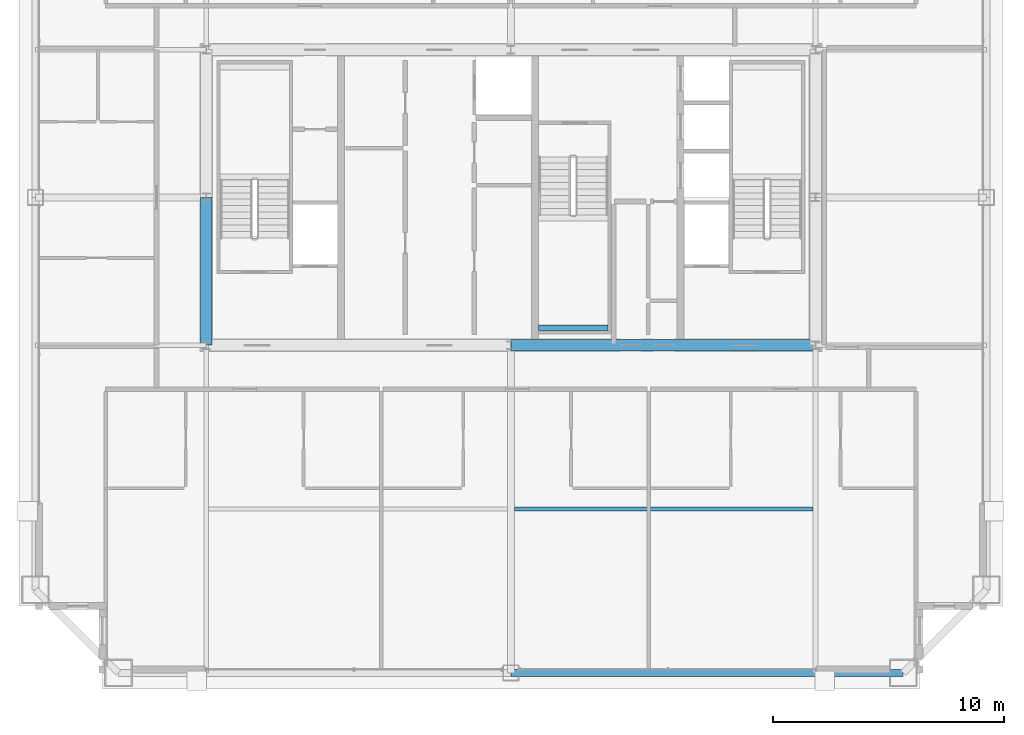
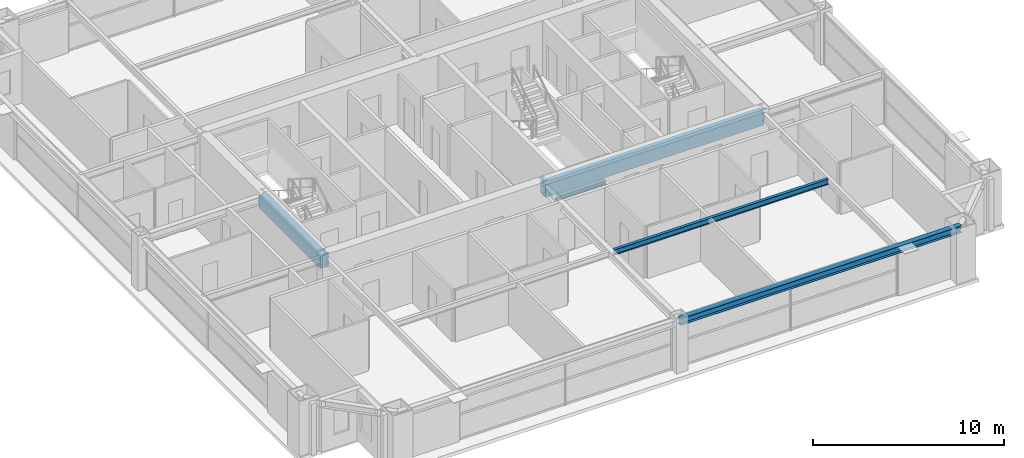
# One storey, part 13 of 37: 5 beams.
"""IFC4 building model written with IfcOpenShell, lengths in metres."""

from ifc_helpers import new_model, si_unit, direction, frame, origin, origin_2d, place, context, subcontext, project, spatial, rectangle, i_section, extrude, source, transform, mapped, material, material_profile, profile_set, type_object, element, save


model = new_model("IFC4")

# Units and contexts
model_context = context("Model", 3, precision=1e-05, world=origin(), true_north=direction((0.0, 1.0)))
body_context = subcontext(model_context, "Body", "Model", "MODEL_VIEW")
ifc_project = project(units=[si_unit("LENGTHUNIT", "METRE"), si_unit("AREAUNIT", "SQUARE_METRE"), si_unit("VOLUMEUNIT", "CUBIC_METRE"), si_unit("PLANEANGLEUNIT", "RADIAN"), si_unit("MASSUNIT", "GRAM", prefix="KILO"), si_unit("THERMODYNAMICTEMPERATUREUNIT", "KELVIN"), si_unit("POWERUNIT", "WATT")], contexts=[model_context])

# Site, building, storey
site_placement = place(None, origin())
site = spatial("IfcSite", under=ifc_project, at=site_placement, CompositionType="ELEMENT")
building_placement = place(site_placement, origin())
building = spatial("IfcBuilding", under=site, at=building_placement, Name="Yuzanri Waterfront Tower", CompositionType="ELEMENT")
storey_placement = place(building_placement, frame((0.0, 0.0, 275.10009765625)))
storey = spatial("IfcBuildingStorey", under=building, at=storey_placement, Name="L73", CompositionType="ELEMENT", Elevation=275.10009765625)

# Beams
ifc_material_1 = material(Name="Concrete C50", Category="concrete")
ifc_material_profile_1 = material_profile(ifc_material_1, rectangle(XDim=0.5, YDim=0.800048828125, at=origin_2d()), Name="RC 500x800")
ifc_profile_set_1 = profile_set([ifc_material_profile_1], Name="Concrete C50")
beam_type_1 = type_object("IfcBeamType", Name="Core Coupling Lintel Concrete C50 500x800", PredefinedType="LINTEL", material=ifc_profile_set_1)
shared_shape_1 = source(origin(), body_context, "Body", "SweptSolid", [
    extrude(rectangle(XDim=0.5, YDim=0.800048828125, at=origin_2d()), origin(), (0.0, 0.0, 1.0), 13.199951171875),
])
beam_1_placement = place(storey_placement, frame((37.0, 19.39990234375, 2.8798828125), z_axis=(1.0, 0.0, 0.0), x_axis=(0.0, 1.0, 0.0)))
element("IfcBeam", 1, at=beam_1_placement, inside=storey, type_object=beam_type_1, Name="L73 Core Tie Beam CS2", PredefinedType="LINTEL", context=body_context, shape_type="MappedRepresentation", body=[
    mapped(shared_shape_1, transform((0.0, 0.0, 0.0), scale=1.0)),
])
shared_shape_2 = source(origin(), body_context, "Body", "SweptSolid", [
    extrude(rectangle(XDim=0.5, YDim=0.800048828125, at=origin_2d()), origin(), (0.0, 0.0, 1.0), 6.400146484375),
])
beam_2_placement = place(storey_placement, frame((23.800048828125, 19.39990234375, 2.8798828125), z_axis=(0.0, 1.0, 0.0), x_axis=(-1.0, 0.0, 0.0)))
element("IfcBeam", 2, at=beam_2_placement, inside=storey, type_object=beam_type_1, Name="L73 Core Tie Beam CW1", PredefinedType="LINTEL", context=body_context, shape_type="MappedRepresentation", body=[
    mapped(shared_shape_2, transform((0.0, 0.0, 0.0), scale=1.0)),
])
ifc_material_2 = material(Name="Steel Q355B", Category="steel")
ifc_material_profile_2 = material_profile(ifc_material_2, i_section(OverallWidth=0.300048828125, OverallDepth=0.43994140625, WebThickness=0.010986328125, FlangeThickness=0.01806640625, at=origin_2d()), Name="HM 440x300x11x18")
ifc_profile_set_2 = profile_set([ifc_material_profile_2], Name="Steel Q355B")
beam_type_2 = type_object("IfcBeamType", Name="Perimeter Spandrel Q355B HM 440x300", PredefinedType="SPANDREL", material=ifc_profile_set_2)
shared_shape_3 = source(origin(), body_context, "Body", "SweptSolid", [
    extrude(i_section(OverallWidth=0.300048828125, OverallDepth=0.43994140625, WebThickness=0.010986328125, FlangeThickness=0.01806640625, at=origin_2d()), origin(), (0.0, 0.0, 1.0), 17.0),
])
beam_3_placement = place(storey_placement, frame((37.0, 5.199951171875, 3.059814453125), z_axis=(1.0, 0.0, 0.0), x_axis=(0.0, 1.0, 0.0)))
element("IfcBeam", 3, at=beam_3_placement, inside=storey, type_object=beam_type_2, Name="L73 Perimeter Spandrel S2-S3", PredefinedType="SPANDREL", context=body_context, shape_type="MappedRepresentation", body=[
    mapped(shared_shape_3, transform((0.0, 0.0, 0.0), scale=1.0)),
])
ifc_material_3 = material(Name="Steel Q355B", Category="steel")
ifc_material_profile_3 = material_profile(ifc_material_3, i_section(OverallWidth=0.175048828125, OverallDepth=0.35009765625, WebThickness=0.007080078125, FlangeThickness=0.010986328125, at=origin_2d()), Name="HN 350x175x7x11")
ifc_profile_set_3 = profile_set([ifc_material_profile_3], Name="Steel Q355B")
beam_type_3 = type_object("IfcBeamType", Name="Floor Joist Q355B HN 350x175", PredefinedType="JOIST", material=ifc_profile_set_3)
shared_shape_4 = source(origin(), body_context, "Body", "SweptSolid", [
    extrude(i_section(OverallWidth=0.175048828125, OverallDepth=0.35009765625, WebThickness=0.007080078125, FlangeThickness=0.010986328125, at=origin_2d()), origin(), (0.0, 0.0, 1.0), 12.9501953125),
])
beam_4_placement = place(storey_placement, frame((37.14990234375, 12.300048828125, 3.10498046875), z_axis=(1.0, 0.0, 0.0), x_axis=(0.0, 1.0, 0.0)))
element("IfcBeam", 4, at=beam_4_placement, inside=storey, type_object=beam_type_3, Name="L73 South Bay Joist E", PredefinedType="JOIST", context=body_context, shape_type="MappedRepresentation", body=[
    mapped(shared_shape_4, transform((0.0, 0.0, 0.0), scale=1.0)),
])
ifc_material_4 = material(Name="Steel Q355B", Category="steel")
ifc_material_profile_4 = material_profile(ifc_material_4, i_section(OverallWidth=0.25, OverallDepth=0.25, WebThickness=0.009033203125, FlangeThickness=0.013916015625, at=origin_2d()), Name="HW 250x250x9x14")
ifc_profile_set_4 = profile_set([ifc_material_profile_4], Name="Steel Q355B")
beam_type_4 = type_object("IfcBeamType", Name="Stair Landing Support Beam Q355B HW 250x250", PredefinedType="BEAM", material=ifc_profile_set_4)
shared_shape_5 = source(origin(), body_context, "Body", "SweptSolid", [
    extrude(i_section(OverallWidth=0.25, OverallDepth=0.25, WebThickness=0.009033203125, FlangeThickness=0.013916015625, at=origin_2d()), origin(), (0.0, 0.0, 1.0), 3.0),
])
beam_5_placement = place(storey_placement, frame((38.199951171875, 20.14990234375, 1.4248046875), z_axis=(1.0, 0.0, 0.0), x_axis=(0.0, 1.0, 0.0)))
element("IfcBeam", 5, at=beam_5_placement, inside=storey, type_object=beam_type_4, Name="L73 Stair Landing Support Beam ST-03-L73-L1-1", PredefinedType="BEAM", context=body_context, shape_type="MappedRepresentation", body=[
    mapped(shared_shape_5, transform((0.0, 0.0, 0.0), scale=1.0)),
])

save(model, "model.ifc")
